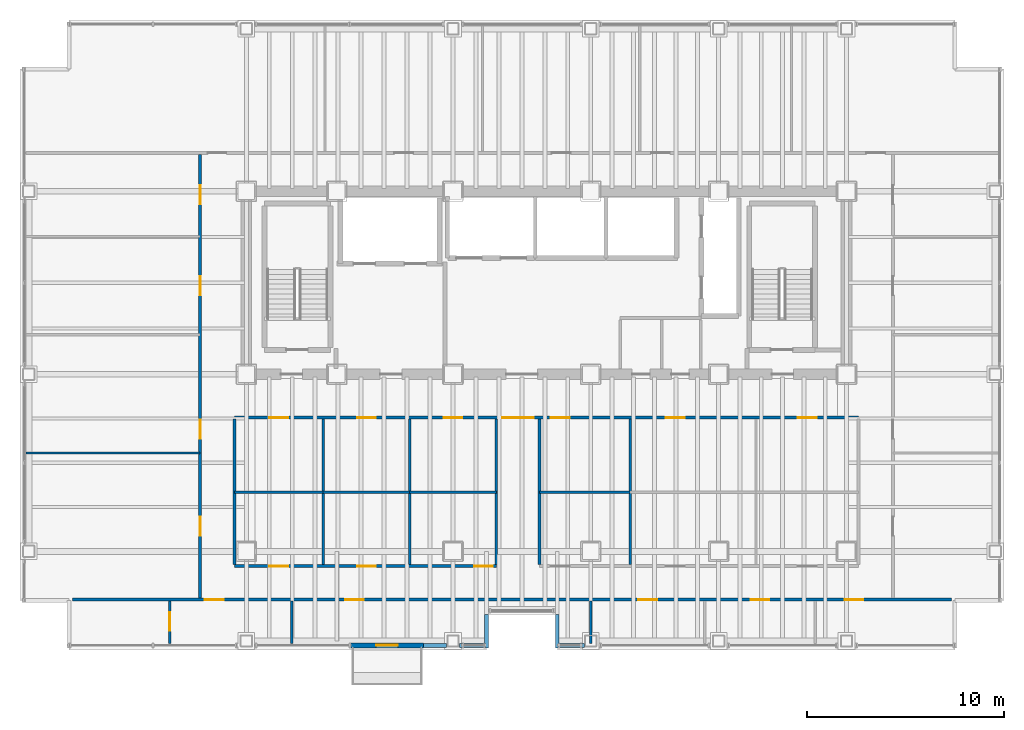
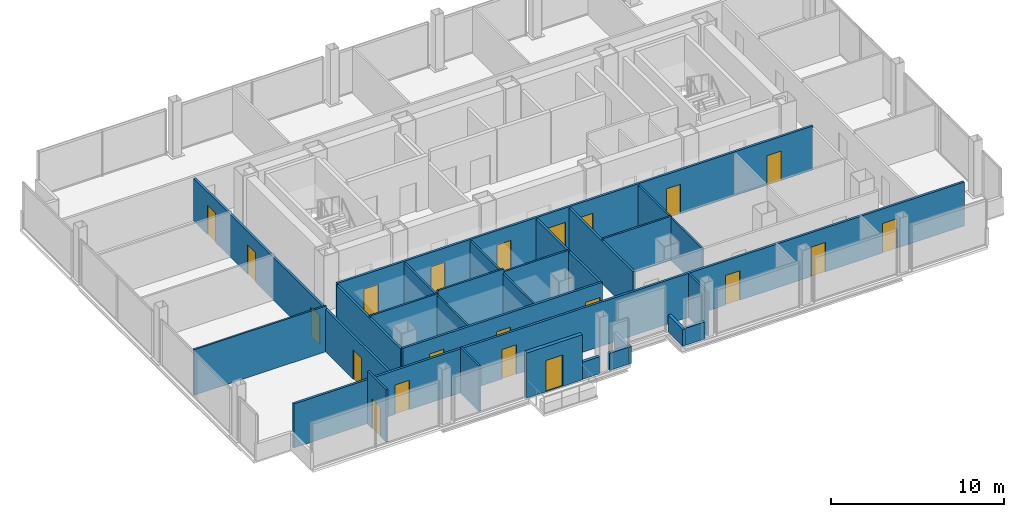
# One storey, part 18 of 21: 24 walls, 21 doors, 21 openings.
"""IFC4 building model written with IfcOpenShell, lengths in metres."""

from ifc_helpers import new_model, si_unit, direction, frame, frame_2d, origin, place, context, subcontext, project, spatial, rectangle, extrude, material, layer, layer_set, type_object, element, fill, save


model = new_model("IFC4")

# Units and contexts
model_context = context("Model", 3, precision=1e-05, world=origin(), true_north=direction((0.0, 1.0)))
body_context = subcontext(model_context, "Body", "Model", "MODEL_VIEW")
ifc_project = project(units=[si_unit("LENGTHUNIT", "METRE"), si_unit("AREAUNIT", "SQUARE_METRE"), si_unit("VOLUMEUNIT", "CUBIC_METRE"), si_unit("PLANEANGLEUNIT", "RADIAN"), si_unit("MASSUNIT", "GRAM", prefix="KILO")], contexts=[model_context])

# Site, building, storey
site_placement = place(None, origin())
site = spatial("IfcSite", under=ifc_project, at=site_placement, CompositionType="ELEMENT")
building_placement = place(site_placement, origin())
building = spatial("IfcBuilding", under=site, at=building_placement, Name="Noeulbin Bourse Tower", CompositionType="ELEMENT")
storey_placement = place(building_placement, frame((0.0, 0.0, 30.39990234375)))
storey = spatial("IfcBuildingStorey", under=building, at=storey_placement, Name="L07", CompositionType="ELEMENT", Elevation=30.39990234375)

# Wall, opening, door
ifc_material_1 = material(Name="Precast Concrete C40/50", Category="concrete")
ifc_layer_1 = layer(ifc_material_1, 0.25)
ifc_layer_set_1 = layer_set([ifc_layer_1], Name="Precast Concrete C40/50")
wall_type_1 = type_object("IfcWallType", Name="WAL-EXT-250", PredefinedType="STANDARD", material=ifc_layer_set_1)
wall_1_placement = place(storey_placement, frame((18.800048828125, 15.219970703125, 0.0), z_axis=(0.0, 0.0, 1.0), x_axis=(1.0, 0.0, 0.0)))
wall_1 = element("IfcWall", 1, at=wall_1_placement, inside=storey, type_object=wall_type_1, Name="Balcony Threshold Wall L07", PredefinedType="STANDARD", context=body_context, shape_type="SweptSolid", body=[
    extrude(rectangle(XDim=3.699951171875, YDim=0.25, at=frame_2d((1.85009765625, 0.0))), origin(), (0.0, 0.0, 1.0), 3.18017578125),
])
opening_1_placement = place(wall_1_placement, frame((1.300048828125, 0.0, 0.0)))
opening_1 = element("IfcOpeningElement", 2, at=opening_1_placement, cuts=wall_1, Name="Opening BD-11", PredefinedType="OPENING", context=body_context, shape_type="SweptSolid", body=[
    extrude(rectangle(XDim=1.10009765625, YDim=2.199951171875, at=frame_2d((0.550048828125, 1.10009765625))), frame((0.0, 0.135009765625, 0.0), z_axis=(0.0, -1.0, 0.0), x_axis=(1.0, 0.0, 0.0)), (0.0, 0.0, 1.0), 0.27001953125),
])
ifc_material_2 = material(Name="Thermally Broken Aluminium Framed Glass", Category="aluminium")
door_type_1 = type_object("IfcDoorType", Name="DR-BAL-1100", OperationType="SINGLE_SWING_LEFT", PredefinedType="DOOR", material=ifc_material_2)
door_1_placement = place(opening_1_placement, origin())
door_1 = element("IfcDoor", 3, at=door_1_placement, inside=storey, type_object=door_type_1, Name="Tree-Balcony Access Door BD-L07", OperationType="SINGLE_SWING_LEFT", OverallHeight=2.199951171875, OverallWidth=1.10009765625, PredefinedType="DOOR", context=body_context, shape_type="SweptSolid", body=[
    extrude(rectangle(XDim=1.10009765625, YDim=2.199951171875, at=frame_2d((0.550048828125, 1.10009765625))), frame((0.0, 0.02490234375, 0.0), z_axis=(0.0, -1.0, 0.0), x_axis=(1.0, 0.0, 0.0)), (0.0, 0.0, 1.0), 0.050048828125),
])
fill(opening_1, door_1)

# Walls
ifc_material_3 = material(Name="Concrete C40/50", Category="concrete")
ifc_layer_2 = layer(ifc_material_3, 0.199951171875)
ifc_layer_set_2 = layer_set([ifc_layer_2], Name="Concrete C40/50")
wall_type_2 = type_object("IfcWallType", Name="WAL-PAR-200", PredefinedType="PARAPET", material=ifc_layer_set_2)
wall_2_placement = place(storey_placement, frame((22.5, 15.219970703125, 0.0), z_axis=(0.0, 0.0, 1.0), x_axis=(1.0, 0.0, 0.0)))
element("IfcWall", 4, at=wall_2_placement, inside=storey, type_object=wall_type_2, Name="Perimeter Pier Spandrel Parapet L07-S1", PredefinedType="PARAPET", context=body_context, shape_type="SweptSolid", body=[
    extrude(rectangle(XDim=1.179931640625, YDim=0.199951171875, at=frame_2d((0.58984375, 0.0))), origin(), (0.0, 0.0, 1.0), 1.2001953125),
])
for number, where, z_axis, x_axis, name in (
    (5, (24.320068359375, 15.219970703125, 0.0), (0.0, 0.0, 1.0), (1.0, 0.0, 0.0), "Perimeter Pier Spandrel Parapet L07-S2"),
    (6, (29.35009765625, 15.219970703125, 0.0), (0.0, 0.0, 1.0), (1.0, 0.0, 0.0), "Perimeter Pier Spandrel Parapet L07-S3"),
):
    element("IfcWall", number, at=place(storey_placement, frame(where, z_axis=z_axis, x_axis=x_axis)), inside=storey, type_object=wall_type_2, Name=name, PredefinedType="PARAPET", context=body_context, shape_type="SweptSolid", body=[
        extrude(rectangle(XDim=1.329833984375, YDim=0.199951171875, at=frame_2d((0.6650390625, 0.0))), origin(), (0.0, 0.0, 1.0), 1.2001953125),
    ])
for number, where, z_axis, x_axis, name in (
    (7, (25.699951171875, 15.10009765625, 0.0), (0.0, 0.0, 1.0), (0.0, 1.0, 0.0), "Sky-Garden Recess Parapet L07-W"),
    (8, (29.300048828125, 16.800048828125, 0.0), (0.0, 0.0, 1.0), (0.0, -1.0, 0.0), "Sky-Garden Recess Parapet L07-E"),
):
    element("IfcWall", number, at=place(storey_placement, frame(where, z_axis=z_axis, x_axis=x_axis)), inside=storey, type_object=wall_type_2, Name=name, PredefinedType="PARAPET", context=body_context, shape_type="SweptSolid", body=[
        extrude(rectangle(XDim=1.699951171875, YDim=0.199951171875, at=frame_2d((0.85009765625, 0.0))), origin(), (0.0, 0.0, 1.0), 1.2001953125),
    ])
ifc_material_4 = material(Name="Steel Stud Gypsum Partition", Category="steel")
ifc_layer_3 = layer(ifc_material_4, 0.1201171875)
ifc_layer_set_3 = layer_set([ifc_layer_3], Name="Steel Stud Gypsum Partition")
wall_type_3 = type_object("IfcWallType", Name="WAL-PRT-120", PredefinedType="PARTITIONING", material=ifc_layer_set_3)
wall_3_placement = place(storey_placement, frame((12.89990234375, 23.0, 0.0), z_axis=(0.0, 0.0, 1.0), x_axis=(1.0, 0.0, 0.0)))
element("IfcWall", 9, at=wall_3_placement, inside=storey, type_object=wall_type_3, Name="Interior Partition Wall L07-07", PredefinedType="PARTITIONING", context=body_context, shape_type="SweptSolid", body=[
    extrude(rectangle(XDim=4.5, YDim=0.1201171875, at=frame_2d((2.25, 0.0))), origin(), (0.0, 0.0, 1.0), 3.10009765625),
])
wall_4_placement = place(storey_placement, frame((17.39990234375, 23.0, 0.0), z_axis=(0.0, 0.0, 1.0), x_axis=(1.0, 0.0, 0.0)))
element("IfcWall", 10, at=wall_4_placement, inside=storey, type_object=wall_type_3, Name="Interior Partition Wall L07-08", PredefinedType="PARTITIONING", context=body_context, shape_type="SweptSolid", body=[
    extrude(rectangle(XDim=4.400146484375, YDim=0.1201171875, at=frame_2d((2.2001953125, 0.0))), origin(), (0.0, 0.0, 1.0), 3.300048828125),
])
wall_5_placement = place(storey_placement, frame((21.800048828125, 23.0, 0.0), z_axis=(0.0, 0.0, 1.0), x_axis=(1.0, 0.0, 0.0)))
element("IfcWall", 11, at=wall_5_placement, inside=storey, type_object=wall_type_3, Name="Interior Partition Wall L07-09", PredefinedType="PARTITIONING", context=body_context, shape_type="SweptSolid", body=[
    extrude(rectangle(XDim=4.39990234375, YDim=0.1201171875, at=frame_2d((2.199951171875, 0.0))), origin(), (0.0, 0.0, 1.0), 3.10009765625),
])
wall_6_placement = place(storey_placement, frame((28.39990234375, 23.0, 0.0), z_axis=(0.0, 0.0, 1.0), x_axis=(1.0, 0.0, 0.0)))
element("IfcWall", 12, at=wall_6_placement, inside=storey, type_object=wall_type_3, Name="Interior Partition Wall L07-10", PredefinedType="PARTITIONING", context=body_context, shape_type="SweptSolid", body=[
    extrude(rectangle(XDim=4.60009765625, YDim=0.1201171875, at=frame_2d((2.300048828125, 0.0))), origin(), (0.0, 0.0, 1.0), 3.10009765625),
])
wall_7_placement = place(storey_placement, frame((2.31005859375, 25.0, 0.0), z_axis=(0.0, 0.0, 1.0), x_axis=(1.0, 0.0, 0.0)))
element("IfcWall", 13, at=wall_7_placement, inside=storey, type_object=wall_type_3, Name="Interior Partition Wall L07-13", PredefinedType="PARTITIONING", context=body_context, shape_type="SweptSolid", body=[
    extrude(rectangle(XDim=8.83984375, YDim=0.1201171875, at=frame_2d((4.419921875, 0.0))), origin(), (0.0, 0.0, 1.0), 3.212158203125),
])

# Wall, opening, door
wall_8_placement = place(storey_placement, frame((9.60009765625, 15.31005859375, 0.0), z_axis=(0.0, 0.0, 1.0), x_axis=(0.0, 1.0, 0.0)))
wall_8 = element("IfcWall", 14, at=wall_8_placement, inside=storey, type_object=wall_type_3, Name="Interior Partition Wall L07-32", PredefinedType="PARTITIONING", context=body_context, shape_type="SweptSolid", body=[
    extrude(rectangle(XDim=2.155029296875, YDim=0.1201171875, at=frame_2d((1.07763671875, 0.0))), origin(), (0.0, 0.0, 1.0), 3.72021484375),
])
opening_2_placement = place(wall_8_placement, frame((0.64501953125, 0.0, 0.0)))
opening_2 = element("IfcOpeningElement", 15, at=opening_2_placement, cuts=wall_8, Name="Opening ID-09", PredefinedType="OPENING", context=body_context, shape_type="SweptSolid", body=[
    extrude(rectangle(XDim=0.949951171875, YDim=2.080078125, at=frame_2d((0.47509765625, 1.0400390625))), frame((0.0, 0.070068359375, 0.0), z_axis=(0.0, -1.0, 0.0), x_axis=(1.0, 0.0, 0.0)), (0.0, 0.0, 1.0), 0.14013671875),
])
ifc_material_5 = material(Name="Acoustic Solid-Core Timber", Category="wood")
door_type_2 = type_object("IfcDoorType", Name="DR-SINGLE-950", OperationType="SINGLE_SWING_LEFT", PredefinedType="DOOR", material=ifc_material_5)
door_2_placement = place(opening_2_placement, origin())
door_2 = element("IfcDoor", 16, at=door_2_placement, inside=storey, type_object=door_type_2, Name="Interior Door L07-08", OperationType="SINGLE_SWING_RIGHT", OverallHeight=2.080078125, OverallWidth=0.949951171875, PredefinedType="DOOR", context=body_context, shape_type="SweptSolid", body=[
    extrude(rectangle(XDim=0.949951171875, YDim=2.080078125, at=frame_2d((0.47509765625, 1.0400390625))), frame((0.0, 0.02490234375, 0.0), z_axis=(0.0, -1.0, 0.0), x_axis=(1.0, 0.0, 0.0)), (0.0, 0.0, 1.0), 0.050048828125),
])
fill(opening_2, door_2)

# Walls
wall_9_placement = place(storey_placement, frame((15.800048828125, 15.31005859375, 0.0), z_axis=(0.0, 0.0, 1.0), x_axis=(0.0, 1.0, 0.0)))
element("IfcWall", 17, at=wall_9_placement, inside=storey, type_object=wall_type_3, Name="Interior Partition Wall L07-33", PredefinedType="PARTITIONING", context=body_context, shape_type="SweptSolid", body=[
    extrude(rectangle(XDim=2.155029296875, YDim=0.1201171875, at=frame_2d((1.07763671875, 0.0))), origin(), (0.0, 0.0, 1.0), 3.212158203125),
])
wall_10_placement = place(storey_placement, frame((31.0, 15.31005859375, 0.0), z_axis=(0.0, 0.0, 1.0), x_axis=(0.0, 1.0, 0.0)))
element("IfcWall", 18, at=wall_10_placement, inside=storey, type_object=wall_type_3, Name="Interior Partition Wall L07-34", PredefinedType="PARTITIONING", context=body_context, shape_type="SweptSolid", body=[
    extrude(rectangle(XDim=2.155029296875, YDim=0.1201171875, at=frame_2d((1.07763671875, 0.0))), origin(), (0.0, 0.0, 1.0), 3.10009765625),
])
for number, where, z_axis, x_axis, name in (
    (19, (17.39990234375, 19.3349609375, 0.0), (0.0, 0.0, 1.0), (0.0, 1.0, 0.0), "Interior Partition Wall L07-37"),
    (20, (21.800048828125, 19.3349609375, 0.0), (0.0, 0.0, 1.0), (0.0, 1.0, 0.0), "Interior Partition Wall L07-38"),
    (21, (33.0, 19.3349609375, 0.0), (0.0, 0.0, 1.0), (0.0, 1.0, 0.0), "Interior Partition Wall L07-39"),
):
    element("IfcWall", number, at=place(storey_placement, frame(where, z_axis=z_axis, x_axis=x_axis)), inside=storey, type_object=wall_type_3, Name=name, PredefinedType="PARTITIONING", context=body_context, shape_type="SweptSolid", body=[
        extrude(rectangle(XDim=7.380126953125, YDim=0.1201171875, at=frame_2d((3.68994140625, 0.0))), origin(), (0.0, 0.0, 1.0), 3.0),
    ])

# Wall, openings, doors
ifc_material_6 = material(Name="Steel Stud Acoustic Gypsum Board", Category="steel")
ifc_layer_4 = layer(ifc_material_6, 0.14990234375)
ifc_layer_set_4 = layer_set([ifc_layer_4], Name="Steel Stud Acoustic Gypsum Board")
wall_type_4 = type_object("IfcWallType", Name="WAL-PRT-150", PredefinedType="PARTITIONING", material=ifc_layer_set_4)
wall_11_placement = place(storey_placement, frame((12.89990234375, 26.800048828125, 0.0), z_axis=(0.0, 0.0, 1.0), x_axis=(1.0, 0.0, 0.0)))
wall_11 = element("IfcWall", 22, at=wall_11_placement, inside=storey, type_object=wall_type_4, Name="Interior Partition Wall L07-03", PredefinedType="PARTITIONING", context=body_context, shape_type="SweptSolid", body=[
    extrude(rectangle(XDim=31.7001953125, YDim=0.14990234375, at=frame_2d((15.85009765625, 0.0))), origin(), (0.0, 0.0, 1.0), 3.10009765625),
])
opening_3_placement = place(wall_11_placement, frame((13.60009765625, 0.0, 0.0)))
opening_3 = element("IfcOpeningElement", 23, at=opening_3_placement, cuts=wall_11, Name="Opening ID-16", PredefinedType="OPENING", context=body_context, shape_type="SweptSolid", body=[
    extrude(rectangle(XDim=1.60009765625, YDim=2.080078125, at=frame_2d((0.800048828125, 1.0400390625))), frame((0.0, 0.0849609375, 0.0), z_axis=(0.0, -1.0, 0.0), x_axis=(1.0, 0.0, 0.0)), (0.0, 0.0, 1.0), 0.169921875),
])
opening_4_placement = place(wall_11_placement, frame((1.77490234375, 0.0, 0.0)))
opening_4 = element("IfcOpeningElement", 24, at=opening_4_placement, cuts=wall_11, Name="Opening ID-09", PredefinedType="OPENING", context=body_context, shape_type="SweptSolid", body=[
    extrude(rectangle(XDim=0.949951171875, YDim=2.080078125, at=frame_2d((0.47509765625, 1.0400390625))), frame((0.0, 0.0849609375, 0.0), z_axis=(0.0, -1.0, 0.0), x_axis=(1.0, 0.0, 0.0)), (0.0, 0.0, 1.0), 0.169921875),
])
opening_5_placement = place(wall_11_placement, frame((6.22509765625, 0.0, 0.0)))
opening_5 = element("IfcOpeningElement", 25, at=opening_5_placement, cuts=wall_11, Name="Opening ID-09", PredefinedType="OPENING", context=body_context, shape_type="SweptSolid", body=[
    extrude(rectangle(XDim=0.949951171875, YDim=2.080078125, at=frame_2d((0.47509765625, 1.0400390625))), frame((0.0, 0.0849609375, 0.0), z_axis=(0.0, -1.0, 0.0), x_axis=(1.0, 0.0, 0.0)), (0.0, 0.0, 1.0), 0.169921875),
])
opening_6_placement = place(wall_11_placement, frame((10.625, 0.0, 0.0)))
opening_6 = element("IfcOpeningElement", 26, at=opening_6_placement, cuts=wall_11, Name="Opening ID-09", PredefinedType="OPENING", context=body_context, shape_type="SweptSolid", body=[
    extrude(rectangle(XDim=0.949951171875, YDim=2.080078125, at=frame_2d((0.47509765625, 1.0400390625))), frame((0.0, 0.0849609375, 0.0), z_axis=(0.0, -1.0, 0.0), x_axis=(1.0, 0.0, 0.0)), (0.0, 0.0, 1.0), 0.169921875),
])
opening_7_placement = place(wall_11_placement, frame((16.074951171875, 0.0, 0.0)))
opening_7 = element("IfcOpeningElement", 27, at=opening_7_placement, cuts=wall_11, Name="Opening ID-09", PredefinedType="OPENING", context=body_context, shape_type="SweptSolid", body=[
    extrude(rectangle(XDim=0.949951171875, YDim=2.080078125, at=frame_2d((0.47509765625, 1.0400390625))), frame((0.0, 0.0849609375, 0.0), z_axis=(0.0, -1.0, 0.0), x_axis=(1.0, 0.0, 0.0)), (0.0, 0.0, 1.0), 0.169921875),
])
opening_8_placement = place(wall_11_placement, frame((21.925048828125, 0.0, 0.0)))
opening_8 = element("IfcOpeningElement", 28, at=opening_8_placement, cuts=wall_11, Name="Opening ID-09", PredefinedType="OPENING", context=body_context, shape_type="SweptSolid", body=[
    extrude(rectangle(XDim=0.949951171875, YDim=2.080078125, at=frame_2d((0.47509765625, 1.0400390625))), frame((0.0, 0.0849609375, 0.0), z_axis=(0.0, -1.0, 0.0), x_axis=(1.0, 0.0, 0.0)), (0.0, 0.0, 1.0), 0.169921875),
])
opening_9_placement = place(wall_11_placement, frame((28.625, 0.0, 0.0)))
opening_9 = element("IfcOpeningElement", 29, at=opening_9_placement, cuts=wall_11, Name="Opening ID-09", PredefinedType="OPENING", context=body_context, shape_type="SweptSolid", body=[
    extrude(rectangle(XDim=0.949951171875, YDim=2.080078125, at=frame_2d((0.47509765625, 1.0400390625))), frame((0.0, 0.0849609375, 0.0), z_axis=(0.0, -1.0, 0.0), x_axis=(1.0, 0.0, 0.0)), (0.0, 0.0, 1.0), 0.169921875),
])
ifc_material_7 = material(Name="Acoustic Glazed Aluminium", Category="aluminium")
door_type_3 = type_object("IfcDoorType", Name="DR-DBL-1600", OperationType="DOUBLE_DOOR_SINGLE_SWING", PredefinedType="DOOR", material=ifc_material_7)
door_3_placement = place(opening_3_placement, origin())
door_3 = element("IfcDoor", 30, at=door_3_placement, inside=storey, type_object=door_type_3, Name="Interior Door L07-07", OperationType="DOUBLE_DOOR_SINGLE_SWING", OverallHeight=2.080078125, OverallWidth=1.60009765625, PredefinedType="DOOR", context=body_context, shape_type="SweptSolid", body=[
    extrude(rectangle(XDim=1.60009765625, YDim=2.080078125, at=frame_2d((0.800048828125, 1.0400390625))), frame((0.0, 0.02490234375, 0.0), z_axis=(0.0, -1.0, 0.0), x_axis=(1.0, 0.0, 0.0)), (0.0, 0.0, 1.0), 0.050048828125),
])
fill(opening_3, door_3)
door_4_placement = place(opening_4_placement, origin())
door_4 = element("IfcDoor", 31, at=door_4_placement, inside=storey, type_object=door_type_2, Name="Interior Door L07-14", OperationType="SINGLE_SWING_RIGHT", OverallHeight=2.080078125, OverallWidth=0.949951171875, PredefinedType="DOOR", context=body_context, shape_type="SweptSolid", body=[
    extrude(rectangle(XDim=0.949951171875, YDim=2.080078125, at=frame_2d((0.47509765625, 1.0400390625))), frame((0.0, 0.02490234375, 0.0), z_axis=(0.0, -1.0, 0.0), x_axis=(1.0, 0.0, 0.0)), (0.0, 0.0, 1.0), 0.050048828125),
])
fill(opening_4, door_4)
door_5_placement = place(opening_5_placement, origin())
door_5 = element("IfcDoor", 32, at=door_5_placement, inside=storey, type_object=door_type_2, Name="Interior Door L07-16", OperationType="SINGLE_SWING_RIGHT", OverallHeight=2.080078125, OverallWidth=0.949951171875, PredefinedType="DOOR", context=body_context, shape_type="SweptSolid", body=[
    extrude(rectangle(XDim=0.949951171875, YDim=2.080078125, at=frame_2d((0.47509765625, 1.0400390625))), frame((0.0, 0.02490234375, 0.0), z_axis=(0.0, -1.0, 0.0), x_axis=(1.0, 0.0, 0.0)), (0.0, 0.0, 1.0), 0.050048828125),
])
fill(opening_5, door_5)
door_6_placement = place(opening_6_placement, origin())
door_6 = element("IfcDoor", 33, at=door_6_placement, inside=storey, type_object=door_type_2, Name="Interior Door L07-18", OperationType="SINGLE_SWING_RIGHT", OverallHeight=2.080078125, OverallWidth=0.949951171875, PredefinedType="DOOR", context=body_context, shape_type="SweptSolid", body=[
    extrude(rectangle(XDim=0.949951171875, YDim=2.080078125, at=frame_2d((0.47509765625, 1.0400390625))), frame((0.0, 0.02490234375, 0.0), z_axis=(0.0, -1.0, 0.0), x_axis=(1.0, 0.0, 0.0)), (0.0, 0.0, 1.0), 0.050048828125),
])
fill(opening_6, door_6)
door_7_placement = place(opening_7_placement, origin())
door_7 = element("IfcDoor", 34, at=door_7_placement, inside=storey, type_object=door_type_2, Name="Interior Door L07-20", OperationType="SINGLE_SWING_RIGHT", OverallHeight=2.080078125, OverallWidth=0.949951171875, PredefinedType="DOOR", context=body_context, shape_type="SweptSolid", body=[
    extrude(rectangle(XDim=0.949951171875, YDim=2.080078125, at=frame_2d((0.47509765625, 1.0400390625))), frame((0.0, 0.02490234375, 0.0), z_axis=(0.0, -1.0, 0.0), x_axis=(1.0, 0.0, 0.0)), (0.0, 0.0, 1.0), 0.050048828125),
])
fill(opening_7, door_7)
door_8_placement = place(opening_8_placement, origin())
door_8 = element("IfcDoor", 35, at=door_8_placement, inside=storey, type_object=door_type_2, Name="Interior Door L07-22", OperationType="SINGLE_SWING_RIGHT", OverallHeight=2.080078125, OverallWidth=0.949951171875, PredefinedType="DOOR", context=body_context, shape_type="SweptSolid", body=[
    extrude(rectangle(XDim=0.949951171875, YDim=2.080078125, at=frame_2d((0.47509765625, 1.0400390625))), frame((0.0, 0.02490234375, 0.0), z_axis=(0.0, -1.0, 0.0), x_axis=(1.0, 0.0, 0.0)), (0.0, 0.0, 1.0), 0.050048828125),
])
fill(opening_8, door_8)
door_9_placement = place(opening_9_placement, origin())
door_9 = element("IfcDoor", 36, at=door_9_placement, inside=storey, type_object=door_type_2, Name="Interior Door L07-24", OperationType="SINGLE_SWING_RIGHT", OverallHeight=2.080078125, OverallWidth=0.949951171875, PredefinedType="DOOR", context=body_context, shape_type="SweptSolid", body=[
    extrude(rectangle(XDim=0.949951171875, YDim=2.080078125, at=frame_2d((0.47509765625, 1.0400390625))), frame((0.0, 0.02490234375, 0.0), z_axis=(0.0, -1.0, 0.0), x_axis=(1.0, 0.0, 0.0)), (0.0, 0.0, 1.0), 0.050048828125),
])
fill(opening_9, door_9)

wall_12_placement = place(storey_placement, frame((4.659912109375, 17.550048828125, 0.0), z_axis=(0.0, 0.0, 1.0), x_axis=(1.0, 0.0, 0.0)))
wall_12 = element("IfcWall", 37, at=wall_12_placement, inside=storey, type_object=wall_type_4, Name="Interior Partition Wall L07-04", PredefinedType="PARTITIONING", context=body_context, shape_type="SweptSolid", body=[
    extrude(rectangle(XDim=44.68017578125, YDim=0.14990234375, at=frame_2d((22.340087890625, 0.0))), origin(), (0.0, 0.0, 1.0), 3.10009765625),
])
opening_10_placement = place(wall_12_placement, frame((6.739990234375, 0.0, 0.0)))
opening_10 = element("IfcOpeningElement", 38, at=opening_10_placement, cuts=wall_12, Name="Opening ID-09", PredefinedType="OPENING", context=body_context, shape_type="SweptSolid", body=[
    extrude(rectangle(XDim=0.949951171875, YDim=2.080078125, at=frame_2d((0.47509765625, 1.0400390625))), frame((0.0, 0.0849609375, 0.0), z_axis=(0.0, -1.0, 0.0), x_axis=(1.0, 0.0, 0.0)), (0.0, 0.0, 1.0), 0.169921875),
])
opening_11_placement = place(wall_12_placement, frame((13.864990234375, 0.0, 0.0)))
opening_11 = element("IfcOpeningElement", 39, at=opening_11_placement, cuts=wall_12, Name="Opening ID-09", PredefinedType="OPENING", context=body_context, shape_type="SweptSolid", body=[
    extrude(rectangle(XDim=0.949951171875, YDim=2.080078125, at=frame_2d((0.47509765625, 1.0400390625))), frame((0.0, 0.0849609375, 0.0), z_axis=(0.0, -1.0, 0.0), x_axis=(1.0, 0.0, 0.0)), (0.0, 0.0, 1.0), 0.169921875),
])
opening_12_placement = place(wall_12_placement, frame((28.764892578125, 0.0, 0.0)))
opening_12 = element("IfcOpeningElement", 40, at=opening_12_placement, cuts=wall_12, Name="Opening ID-09", PredefinedType="OPENING", context=body_context, shape_type="SweptSolid", body=[
    extrude(rectangle(XDim=0.949951171875, YDim=2.080078125, at=frame_2d((0.47509765625, 1.0400390625))), frame((0.0, 0.0849609375, 0.0), z_axis=(0.0, -1.0, 0.0), x_axis=(1.0, 0.0, 0.0)), (0.0, 0.0, 1.0), 0.169921875),
])
opening_13_placement = place(wall_12_placement, frame((34.465087890625, 0.0, 0.0)))
opening_13 = element("IfcOpeningElement", 41, at=opening_13_placement, cuts=wall_12, Name="Opening ID-09", PredefinedType="OPENING", context=body_context, shape_type="SweptSolid", body=[
    extrude(rectangle(XDim=0.949951171875, YDim=2.080078125, at=frame_2d((0.47509765625, 1.0400390625))), frame((0.0, 0.0849609375, 0.0), z_axis=(0.0, -1.0, 0.0), x_axis=(1.0, 0.0, 0.0)), (0.0, 0.0, 1.0), 0.169921875),
])
opening_14_placement = place(wall_12_placement, frame((39.239990234375, 0.0, 0.0)))
opening_14 = element("IfcOpeningElement", 42, at=opening_14_placement, cuts=wall_12, Name="Opening ID-09", PredefinedType="OPENING", context=body_context, shape_type="SweptSolid", body=[
    extrude(rectangle(XDim=0.949951171875, YDim=2.080078125, at=frame_2d((0.47509765625, 1.0400390625))), frame((0.0, 0.0849609375, 0.0), z_axis=(0.0, -1.0, 0.0), x_axis=(1.0, 0.0, 0.0)), (0.0, 0.0, 1.0), 0.169921875),
])
door_10_placement = place(opening_10_placement, origin())
door_10 = element("IfcDoor", 43, at=door_10_placement, inside=storey, type_object=door_type_2, Name="Interior Door L07-09", OperationType="SINGLE_SWING_LEFT", OverallHeight=2.080078125, OverallWidth=0.949951171875, PredefinedType="DOOR", context=body_context, shape_type="SweptSolid", body=[
    extrude(rectangle(XDim=0.949951171875, YDim=2.080078125, at=frame_2d((0.47509765625, 1.0400390625))), frame((0.0, 0.02490234375, 0.0), z_axis=(0.0, -1.0, 0.0), x_axis=(1.0, 0.0, 0.0)), (0.0, 0.0, 1.0), 0.050048828125),
])
fill(opening_10, door_10)
door_11_placement = place(opening_11_placement, origin())
door_11 = element("IfcDoor", 44, at=door_11_placement, inside=storey, type_object=door_type_2, Name="Interior Door L07-10", OperationType="SINGLE_SWING_RIGHT", OverallHeight=2.080078125, OverallWidth=0.949951171875, PredefinedType="DOOR", context=body_context, shape_type="SweptSolid", body=[
    extrude(rectangle(XDim=0.949951171875, YDim=2.080078125, at=frame_2d((0.47509765625, 1.0400390625))), frame((0.0, 0.02490234375, 0.0), z_axis=(0.0, -1.0, 0.0), x_axis=(1.0, 0.0, 0.0)), (0.0, 0.0, 1.0), 0.050048828125),
])
fill(opening_11, door_11)
door_12_placement = place(opening_12_placement, origin())
door_12 = element("IfcDoor", 45, at=door_12_placement, inside=storey, type_object=door_type_2, Name="Interior Door L07-11", OperationType="SINGLE_SWING_LEFT", OverallHeight=2.080078125, OverallWidth=0.949951171875, PredefinedType="DOOR", context=body_context, shape_type="SweptSolid", body=[
    extrude(rectangle(XDim=0.949951171875, YDim=2.080078125, at=frame_2d((0.47509765625, 1.0400390625))), frame((0.0, 0.02490234375, 0.0), z_axis=(0.0, -1.0, 0.0), x_axis=(1.0, 0.0, 0.0)), (0.0, 0.0, 1.0), 0.050048828125),
])
fill(opening_12, door_12)
door_13_placement = place(opening_13_placement, origin())
door_13 = element("IfcDoor", 46, at=door_13_placement, inside=storey, type_object=door_type_2, Name="Interior Door L07-12", OperationType="SINGLE_SWING_RIGHT", OverallHeight=2.080078125, OverallWidth=0.949951171875, PredefinedType="DOOR", context=body_context, shape_type="SweptSolid", body=[
    extrude(rectangle(XDim=0.949951171875, YDim=2.080078125, at=frame_2d((0.47509765625, 1.0400390625))), frame((0.0, 0.02490234375, 0.0), z_axis=(0.0, -1.0, 0.0), x_axis=(1.0, 0.0, 0.0)), (0.0, 0.0, 1.0), 0.050048828125),
])
fill(opening_13, door_13)
door_14_placement = place(opening_14_placement, origin())
door_14 = element("IfcDoor", 47, at=door_14_placement, inside=storey, type_object=door_type_2, Name="Interior Door L07-13", OperationType="SINGLE_SWING_LEFT", OverallHeight=2.080078125, OverallWidth=0.949951171875, PredefinedType="DOOR", context=body_context, shape_type="SweptSolid", body=[
    extrude(rectangle(XDim=0.949951171875, YDim=2.080078125, at=frame_2d((0.47509765625, 1.0400390625))), frame((0.0, 0.02490234375, 0.0), z_axis=(0.0, -1.0, 0.0), x_axis=(1.0, 0.0, 0.0)), (0.0, 0.0, 1.0), 0.050048828125),
])
fill(opening_14, door_14)

wall_13_placement = place(storey_placement, frame((12.89990234375, 19.25, 0.0), z_axis=(0.0, 0.0, 1.0), x_axis=(1.0, 0.0, 0.0)))
wall_13 = element("IfcWall", 48, at=wall_13_placement, inside=storey, type_object=wall_type_4, Name="Interior Partition Wall L07-05", PredefinedType="PARTITIONING", context=body_context, shape_type="SweptSolid", body=[
    extrude(rectangle(XDim=13.300048828125, YDim=0.14990234375, at=frame_2d((6.64990234375, 0.0))), origin(), (0.0, 0.0, 1.0), 3.10009765625),
])
opening_15_placement = place(wall_13_placement, frame((1.77490234375, 0.0, 0.0)))
opening_15 = element("IfcOpeningElement", 49, at=opening_15_placement, cuts=wall_13, Name="Opening ID-09", PredefinedType="OPENING", context=body_context, shape_type="SweptSolid", body=[
    extrude(rectangle(XDim=0.949951171875, YDim=2.080078125, at=frame_2d((0.47509765625, 1.0400390625))), frame((0.0, 0.0849609375, 0.0), z_axis=(0.0, -1.0, 0.0), x_axis=(1.0, 0.0, 0.0)), (0.0, 0.0, 1.0), 0.169921875),
])
opening_16_placement = place(wall_13_placement, frame((6.22509765625, 0.0, 0.0)))
opening_16 = element("IfcOpeningElement", 50, at=opening_16_placement, cuts=wall_13, Name="Opening ID-09", PredefinedType="OPENING", context=body_context, shape_type="SweptSolid", body=[
    extrude(rectangle(XDim=0.949951171875, YDim=2.080078125, at=frame_2d((0.47509765625, 1.0400390625))), frame((0.0, 0.0849609375, 0.0), z_axis=(0.0, -1.0, 0.0), x_axis=(1.0, 0.0, 0.0)), (0.0, 0.0, 1.0), 0.169921875),
])
opening_17_placement = place(wall_13_placement, frame((12.175048828125, 0.0, 0.0)))
opening_17 = element("IfcOpeningElement", 51, at=opening_17_placement, cuts=wall_13, Name="Opening ID-09", PredefinedType="OPENING", context=body_context, shape_type="SweptSolid", body=[
    extrude(rectangle(XDim=0.949951171875, YDim=2.080078125, at=frame_2d((0.47509765625, 1.0400390625))), frame((0.0, 0.0849609375, 0.0), z_axis=(0.0, -1.0, 0.0), x_axis=(1.0, 0.0, 0.0)), (0.0, 0.0, 1.0), 0.169921875),
])
door_15_placement = place(opening_15_placement, origin())
door_15 = element("IfcDoor", 52, at=door_15_placement, inside=storey, type_object=door_type_2, Name="Interior Door L07-15", OperationType="SINGLE_SWING_LEFT", OverallHeight=2.080078125, OverallWidth=0.949951171875, PredefinedType="DOOR", context=body_context, shape_type="SweptSolid", body=[
    extrude(rectangle(XDim=0.949951171875, YDim=2.080078125, at=frame_2d((0.47509765625, 1.0400390625))), frame((0.0, 0.02490234375, 0.0), z_axis=(0.0, -1.0, 0.0), x_axis=(1.0, 0.0, 0.0)), (0.0, 0.0, 1.0), 0.050048828125),
])
fill(opening_15, door_15)
door_16_placement = place(opening_16_placement, origin())
door_16 = element("IfcDoor", 53, at=door_16_placement, inside=storey, type_object=door_type_2, Name="Interior Door L07-17", OperationType="SINGLE_SWING_LEFT", OverallHeight=2.080078125, OverallWidth=0.949951171875, PredefinedType="DOOR", context=body_context, shape_type="SweptSolid", body=[
    extrude(rectangle(XDim=0.949951171875, YDim=2.080078125, at=frame_2d((0.47509765625, 1.0400390625))), frame((0.0, 0.02490234375, 0.0), z_axis=(0.0, -1.0, 0.0), x_axis=(1.0, 0.0, 0.0)), (0.0, 0.0, 1.0), 0.050048828125),
])
fill(opening_16, door_16)
door_17_placement = place(opening_17_placement, origin())
door_17 = element("IfcDoor", 54, at=door_17_placement, inside=storey, type_object=door_type_2, Name="Interior Door L07-19", OperationType="SINGLE_SWING_LEFT", OverallHeight=2.080078125, OverallWidth=0.949951171875, PredefinedType="DOOR", context=body_context, shape_type="SweptSolid", body=[
    extrude(rectangle(XDim=0.949951171875, YDim=2.080078125, at=frame_2d((0.47509765625, 1.0400390625))), frame((0.0, 0.02490234375, 0.0), z_axis=(0.0, -1.0, 0.0), x_axis=(1.0, 0.0, 0.0)), (0.0, 0.0, 1.0), 0.050048828125),
])
fill(opening_17, door_17)

# Walls
for number, where, z_axis, x_axis, name in (
    (55, (26.199951171875, 19.3349609375, 0.0), (0.0, 0.0, 1.0), (0.0, 1.0, 0.0), "Interior Partition Wall L07-26"),
    (56, (28.39990234375, 19.3349609375, 0.0), (0.0, 0.0, 1.0), (0.0, 1.0, 0.0), "Interior Partition Wall L07-27"),
):
    element("IfcWall", number, at=place(storey_placement, frame(where, z_axis=z_axis, x_axis=x_axis)), inside=storey, type_object=wall_type_4, Name=name, PredefinedType="PARTITIONING", context=body_context, shape_type="SweptSolid", body=[
        extrude(rectangle(XDim=7.380126953125, YDim=0.14990234375, at=frame_2d((3.68994140625, 0.0))), origin(), (0.0, 0.0, 1.0), 3.0),
    ])

# Wall, openings, doors
wall_14_placement = place(storey_placement, frame((11.14990234375, 17.635009765625, 0.0), z_axis=(0.0, 0.0, 1.0), x_axis=(0.0, 1.0, 0.0)))
wall_14 = element("IfcWall", 57, at=wall_14_placement, inside=storey, type_object=wall_type_4, Name="Interior Partition Wall L07-28", PredefinedType="PARTITIONING", context=body_context, shape_type="SweptSolid", body=[
    extrude(rectangle(XDim=22.530029296875, YDim=0.14990234375, at=frame_2d((11.26513671875, 0.0))), origin(), (0.0, 0.0, 1.0), 3.0),
])
opening_18_placement = place(wall_14_placement, frame((3.1650390625, 0.0, 0.0)))
opening_18 = element("IfcOpeningElement", 58, at=opening_18_placement, cuts=wall_14, Name="Opening ID-09", PredefinedType="OPENING", context=body_context, shape_type="SweptSolid", body=[
    extrude(rectangle(XDim=0.949951171875, YDim=2.080078125, at=frame_2d((0.47509765625, 1.0400390625))), frame((0.0, 0.0849609375, 0.0), z_axis=(0.0, -1.0, 0.0), x_axis=(1.0, 0.0, 0.0)), (0.0, 0.0, 1.0), 0.169921875),
])
opening_19_placement = place(wall_14_placement, frame((8.090087890625, 0.0, 0.0)))
opening_19 = element("IfcOpeningElement", 59, at=opening_19_placement, cuts=wall_14, Name="Opening ID-09", PredefinedType="OPENING", context=body_context, shape_type="SweptSolid", body=[
    extrude(rectangle(XDim=0.949951171875, YDim=2.080078125, at=frame_2d((0.47509765625, 1.0400390625))), frame((0.0, 0.0849609375, 0.0), z_axis=(0.0, -1.0, 0.0), x_axis=(1.0, 0.0, 0.0)), (0.0, 0.0, 1.0), 0.169921875),
])
opening_20_placement = place(wall_14_placement, frame((15.389892578125, 0.0, 0.0)))
opening_20 = element("IfcOpeningElement", 60, at=opening_20_placement, cuts=wall_14, Name="Opening ID-09", PredefinedType="OPENING", context=body_context, shape_type="SweptSolid", body=[
    extrude(rectangle(XDim=0.949951171875, YDim=2.080078125, at=frame_2d((0.47509765625, 1.0400390625))), frame((0.0, 0.0849609375, 0.0), z_axis=(0.0, -1.0, 0.0), x_axis=(1.0, 0.0, 0.0)), (0.0, 0.0, 1.0), 0.169921875),
])
opening_21_placement = place(wall_14_placement, frame((20.014892578125, 0.0, 0.0)))
opening_21 = element("IfcOpeningElement", 61, at=opening_21_placement, cuts=wall_14, Name="Opening ID-09", PredefinedType="OPENING", context=body_context, shape_type="SweptSolid", body=[
    extrude(rectangle(XDim=0.949951171875, YDim=2.080078125, at=frame_2d((0.47509765625, 1.0400390625))), frame((0.0, 0.0849609375, 0.0), z_axis=(0.0, -1.0, 0.0), x_axis=(1.0, 0.0, 0.0)), (0.0, 0.0, 1.0), 0.169921875),
])
door_18_placement = place(opening_18_placement, origin())
door_18 = element("IfcDoor", 62, at=door_18_placement, inside=storey, type_object=door_type_2, Name="Interior Door L07-26", OperationType="SINGLE_SWING_RIGHT", OverallHeight=2.080078125, OverallWidth=0.949951171875, PredefinedType="DOOR", context=body_context, shape_type="SweptSolid", body=[
    extrude(rectangle(XDim=0.949951171875, YDim=2.080078125, at=frame_2d((0.47509765625, 1.0400390625))), frame((0.0, 0.02490234375, 0.0), z_axis=(0.0, -1.0, 0.0), x_axis=(1.0, 0.0, 0.0)), (0.0, 0.0, 1.0), 0.050048828125),
])
fill(opening_18, door_18)
door_19_placement = place(opening_19_placement, origin())
door_19 = element("IfcDoor", 63, at=door_19_placement, inside=storey, type_object=door_type_2, Name="Interior Door L07-27", OperationType="SINGLE_SWING_LEFT", OverallHeight=2.080078125, OverallWidth=0.949951171875, PredefinedType="DOOR", context=body_context, shape_type="SweptSolid", body=[
    extrude(rectangle(XDim=0.949951171875, YDim=2.080078125, at=frame_2d((0.47509765625, 1.0400390625))), frame((0.0, 0.02490234375, 0.0), z_axis=(0.0, -1.0, 0.0), x_axis=(1.0, 0.0, 0.0)), (0.0, 0.0, 1.0), 0.050048828125),
])
fill(opening_19, door_19)
door_20_placement = place(opening_20_placement, origin())
door_20 = element("IfcDoor", 64, at=door_20_placement, inside=storey, type_object=door_type_2, Name="Interior Door L07-28", OperationType="SINGLE_SWING_RIGHT", OverallHeight=2.080078125, OverallWidth=0.949951171875, PredefinedType="DOOR", context=body_context, shape_type="SweptSolid", body=[
    extrude(rectangle(XDim=0.949951171875, YDim=2.080078125, at=frame_2d((0.47509765625, 1.0400390625))), frame((0.0, 0.02490234375, 0.0), z_axis=(0.0, -1.0, 0.0), x_axis=(1.0, 0.0, 0.0)), (0.0, 0.0, 1.0), 0.050048828125),
])
fill(opening_20, door_20)
door_21_placement = place(opening_21_placement, origin())
door_21 = element("IfcDoor", 65, at=door_21_placement, inside=storey, type_object=door_type_2, Name="Interior Door L07-29", OperationType="SINGLE_SWING_LEFT", OverallHeight=2.080078125, OverallWidth=0.949951171875, PredefinedType="DOOR", context=body_context, shape_type="SweptSolid", body=[
    extrude(rectangle(XDim=0.949951171875, YDim=2.080078125, at=frame_2d((0.47509765625, 1.0400390625))), frame((0.0, 0.02490234375, 0.0), z_axis=(0.0, -1.0, 0.0), x_axis=(1.0, 0.0, 0.0)), (0.0, 0.0, 1.0), 0.050048828125),
])
fill(opening_21, door_21)

# Wall
wall_15_placement = place(storey_placement, frame((12.89990234375, 19.3349609375, 0.0), z_axis=(0.0, 0.0, 1.0), x_axis=(0.0, 1.0, 0.0)))
element("IfcWall", 66, at=wall_15_placement, inside=storey, type_object=wall_type_4, Name="Interior Partition Wall L07-29", PredefinedType="PARTITIONING", context=body_context, shape_type="SweptSolid", body=[
    extrude(rectangle(XDim=7.380126953125, YDim=0.14990234375, at=frame_2d((3.68994140625, 0.0))), origin(), (0.0, 0.0, 1.0), 3.0),
])

save(model, "model.ifc")
